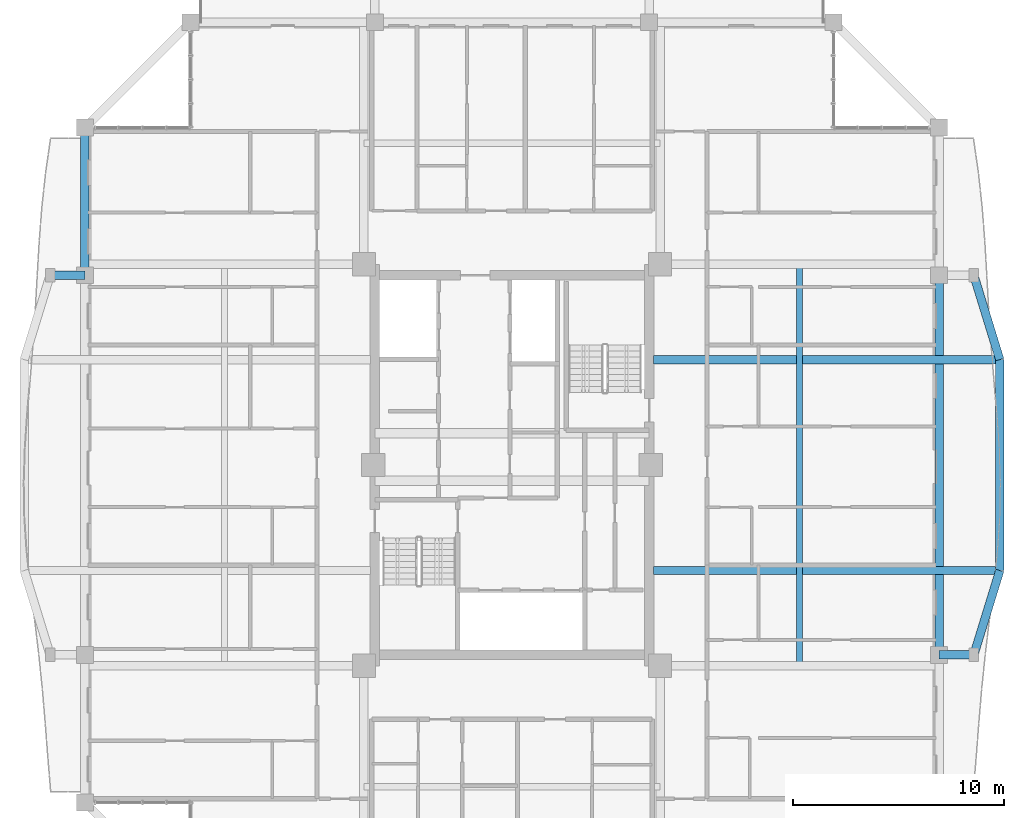
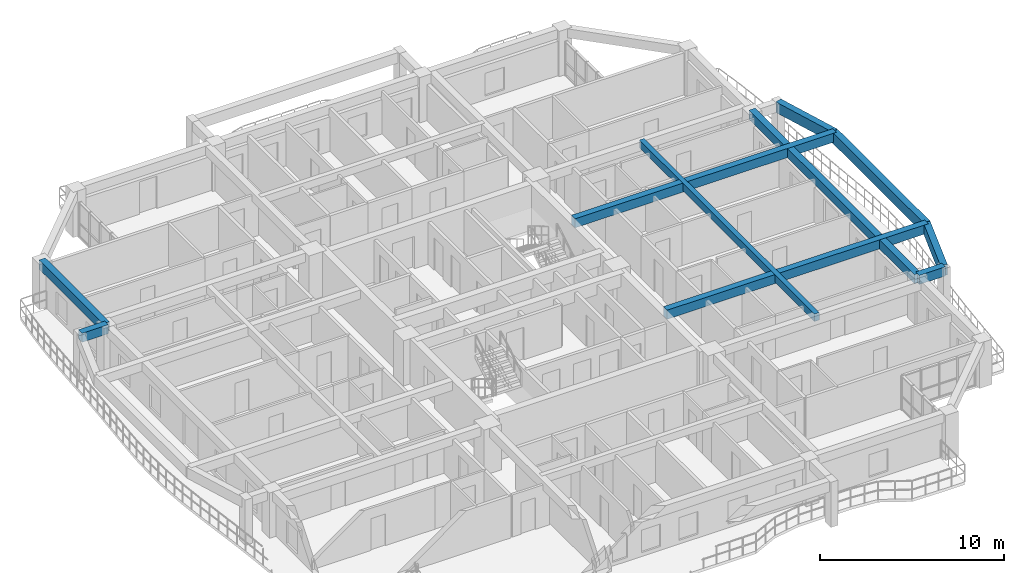
# One storey, part 5 of 22: 10 beams.
"""IFC4 building model written with IfcOpenShell, lengths in metres."""

from ifc_helpers import new_model, si_unit, direction, frame, origin, origin_2d, place, context, subcontext, project, spatial, rectangle, extrude, source, transform, mapped, material, material_profile, profile_set, type_object, element, save


model = new_model("IFC4")

# Units and contexts
model_context = context("Model", 3, precision=1e-05, world=origin(), true_north=direction((0.0, 1.0)))
body_context = subcontext(model_context, "Body", "Model", "MODEL_VIEW")
ifc_project = project(units=[si_unit("LENGTHUNIT", "METRE"), si_unit("AREAUNIT", "SQUARE_METRE"), si_unit("VOLUMEUNIT", "CUBIC_METRE"), si_unit("PLANEANGLEUNIT", "RADIAN"), si_unit("MASSUNIT", "GRAM", prefix="KILO")], contexts=[model_context])

# Site, building, storey
site_placement = place(None, origin())
site = spatial("IfcSite", under=ifc_project, at=site_placement, CompositionType="ELEMENT")
building_placement = place(site_placement, origin())
building = spatial("IfcBuilding", under=site, at=building_placement, Name="Saelheon Loggia Tower", CompositionType="ELEMENT")
storey_placement = place(building_placement, frame((0.0, 0.0, 176.800048828125)))
storey = spatial("IfcBuildingStorey", under=building, at=storey_placement, Name="L55", CompositionType="ELEMENT", Elevation=176.800048828125)

# Beams
ifc_material_1 = material(Name="Concrete C40/50", Category="concrete")
ifc_material_profile_1 = material_profile(ifc_material_1, rectangle(XDim=0.300048828125, YDim=0.5, at=origin_2d()), Name="RC-300x500")
ifc_profile_set_1 = profile_set([ifc_material_profile_1], Name="Concrete C40/50")
beam_type_1 = type_object("IfcBeamType", Name="Beam_Joist_RC300x500", PredefinedType="JOIST", material=ifc_profile_set_1)
shared_shape_1 = source(origin(), body_context, "Body", "SweptSolid", [
    extrude(rectangle(XDim=0.300048828125, YDim=0.5, at=origin_2d()), origin(), (0.0, 0.0, 1.0), 19.0400390625),
])
beam_1_placement = place(storey_placement, frame((51.635009765625, 17.47998046875, 2.75), z_axis=(0.0, 1.0, 0.0), x_axis=(-1.0, 0.0, 0.0)))
element("IfcBeam", 1, at=beam_1_placement, inside=storey, type_object=beam_type_1, Name="L55 East Floor Joist", PredefinedType="JOIST", context=body_context, shape_type="MappedRepresentation", body=[
    mapped(shared_shape_1, transform((0.0, 0.0, 0.0), scale=1.0)),
])
ifc_material_2 = material(Name="Precast Concrete C45/55", Category="concrete")
ifc_material_profile_2 = material_profile(ifc_material_2, rectangle(XDim=0.39990234375, YDim=0.60009765625, at=origin_2d()), Name="RC-400x600")
ifc_profile_set_2 = profile_set([ifc_material_profile_2], Name="Precast Concrete C45/55")
beam_type_2 = type_object("IfcBeamType", Name="Beam_LoggiaTie_RC400x600", PredefinedType="BEAM", material=ifc_profile_set_2)
shared_shape_2 = source(origin(), body_context, "Body", "SweptSolid", [
    extrude(rectangle(XDim=0.39990234375, YDim=0.60009765625, at=origin_2d()), origin(), (0.0, 0.0, 1.0), 1.64990234375),
])
for number, where, z_axis, x_axis, name in (
    (2, (58.25, 18.0, 2.699951171875), (1.0, 0.0, 0.0), (0.0, 1.0, 0.0), "L55 Loggia Frame Tie Beam LP-E1"),
    (3, (17.75, 36.0, 2.699951171875), (-1.0, 0.0, 0.0), (0.0, -1.0, 0.0), "L55 Loggia Frame Tie Beam LP-W2"),
):
    element("IfcBeam", number, at=place(storey_placement, frame(where, z_axis=z_axis, x_axis=x_axis)), inside=storey, type_object=beam_type_2, Name=name, PredefinedType="BEAM", context=body_context, shape_type="MappedRepresentation", body=[
        mapped(shared_shape_2, transform((0.0, 0.0, 0.0), scale=1.0)),
    ])
shared_shape_3 = source(origin(), body_context, "Body", "SweptSolid", [
    extrude(rectangle(XDim=0.39990234375, YDim=0.60009765625, at=origin_2d()), origin(), (0.0, 0.0, 1.0), 16.409912109375),
])
for number, where, z_axis, x_axis, name in (
    (4, (44.719970703125, 22.0, 2.699951171875), (1.0, 0.0, 0.0), (0.0, 1.0, 0.0), "L55 Curved Facade Outrigger Beam E 1"),
    (5, (44.719970703125, 32.0, 2.699951171875), (1.0, 0.0, 0.0), (0.0, 1.0, 0.0), "L55 Curved Facade Outrigger Beam E 2"),
):
    element("IfcBeam", number, at=place(storey_placement, frame(where, z_axis=z_axis, x_axis=x_axis)), inside=storey, type_object=beam_type_2, Name=name, PredefinedType="BEAM", context=body_context, shape_type="MappedRepresentation", body=[
        mapped(shared_shape_3, transform((0.0, 0.0, 0.0), scale=1.0)),
    ])
ifc_material_profile_3 = material_profile(ifc_material_2, rectangle(XDim=0.39990234375, YDim=0.699951171875, at=origin_2d()), Name="RC-400x700")
ifc_profile_set_3 = profile_set([ifc_material_profile_3], Name="Precast Concrete C45/55")
beam_type_3 = type_object("IfcBeamType", Name="Beam_LoggiaSpandrel_RC400x700", PredefinedType="SPANDREL", material=ifc_profile_set_3)
shared_shape_4 = source(origin(), body_context, "Body", "SweptSolid", [
    extrude(rectangle(XDim=0.39990234375, YDim=0.699951171875, at=origin_2d()), origin(), (0.0, 0.0, 1.0), 4.184814453125),
])
for number, where, z_axis, x_axis, name in (
    (6, (59.89990234375, 18.0, 2.64990234375), (0.293913664135, 0.955831971653, 0.0), (-0.955831971653, 0.293913664135, 0.0), "L55 Curved Loggia Spandrel E 1"),
    (7, (61.1298828125, 32.0, 2.64990234375), (-0.293913664135, 0.955831971653, 0.0), (-0.955831971653, -0.293913664135, 0.0), "L55 Curved Loggia Spandrel E 3"),
):
    element("IfcBeam", number, at=place(storey_placement, frame(where, z_axis=z_axis, x_axis=x_axis)), inside=storey, type_object=beam_type_3, Name=name, PredefinedType="SPANDREL", context=body_context, shape_type="MappedRepresentation", body=[
        mapped(shared_shape_4, transform((0.0, 0.0, 0.0), scale=1.0)),
    ])
shared_shape_5 = source(origin(), body_context, "Body", "SweptSolid", [
    extrude(rectangle(XDim=0.39990234375, YDim=0.699951171875, at=origin_2d()), origin(), (0.0, 0.0, 1.0), 10.0),
])
beam_2_placement = place(storey_placement, frame((61.1298828125, 22.0, 2.64990234375), z_axis=(0.0, 1.0, 0.0), x_axis=(-1.0, 0.0, 0.0)))
element("IfcBeam", 8, at=beam_2_placement, inside=storey, type_object=beam_type_3, Name="L55 Curved Loggia Spandrel E 2", PredefinedType="SPANDREL", context=body_context, shape_type="MappedRepresentation", body=[
    mapped(shared_shape_5, transform((0.0, 0.0, 0.0), scale=1.0)),
])
ifc_material_profile_4 = material_profile(ifc_material_1, rectangle(XDim=0.39990234375, YDim=0.60009765625, at=origin_2d()), Name="RC-400x600")
ifc_profile_set_4 = profile_set([ifc_material_profile_4], Name="Concrete C40/50")
beam_type_4 = type_object("IfcBeamType", Name="Beam_PerimUpper_RC400x600", PredefinedType="BEAM", material=ifc_profile_set_4)
shared_shape_6 = source(origin(), body_context, "Body", "SweptSolid", [
    extrude(rectangle(XDim=0.39990234375, YDim=0.60009765625, at=origin_2d()), origin(), (0.0, 0.0, 1.0), 7.0),
])
beam_3_placement = place(storey_placement, frame((17.75, 43.0, 2.699951171875), z_axis=(0.0, -1.0, 0.0), x_axis=(1.0, 0.0, 0.0)))
element("IfcBeam", 9, at=beam_3_placement, inside=storey, type_object=beam_type_4, Name="L55 Perimeter Frame Girder 13", PredefinedType="BEAM", context=body_context, shape_type="MappedRepresentation", body=[
    mapped(shared_shape_6, transform((0.0, 0.0, 0.0), scale=1.0)),
])
shared_shape_7 = source(origin(), body_context, "Body", "SweptSolid", [
    extrude(rectangle(XDim=0.39990234375, YDim=0.60009765625, at=origin_2d()), origin(), (0.0, 0.0, 1.0), 18.0),
])
beam_4_placement = place(storey_placement, frame((58.25, 18.0, 2.699951171875), z_axis=(0.0, 1.0, 0.0), x_axis=(-1.0, 0.0, 0.0)))
element("IfcBeam", 10, at=beam_4_placement, inside=storey, type_object=beam_type_4, Name="L55 Perimeter Frame Girder 06", PredefinedType="BEAM", context=body_context, shape_type="MappedRepresentation", body=[
    mapped(shared_shape_7, transform((0.0, 0.0, 0.0), scale=1.0)),
])

save(model, "model.ifc")
